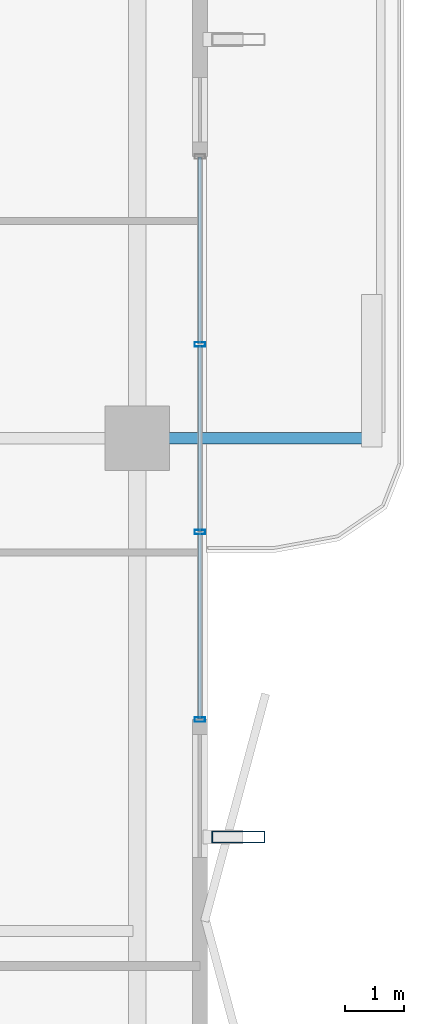
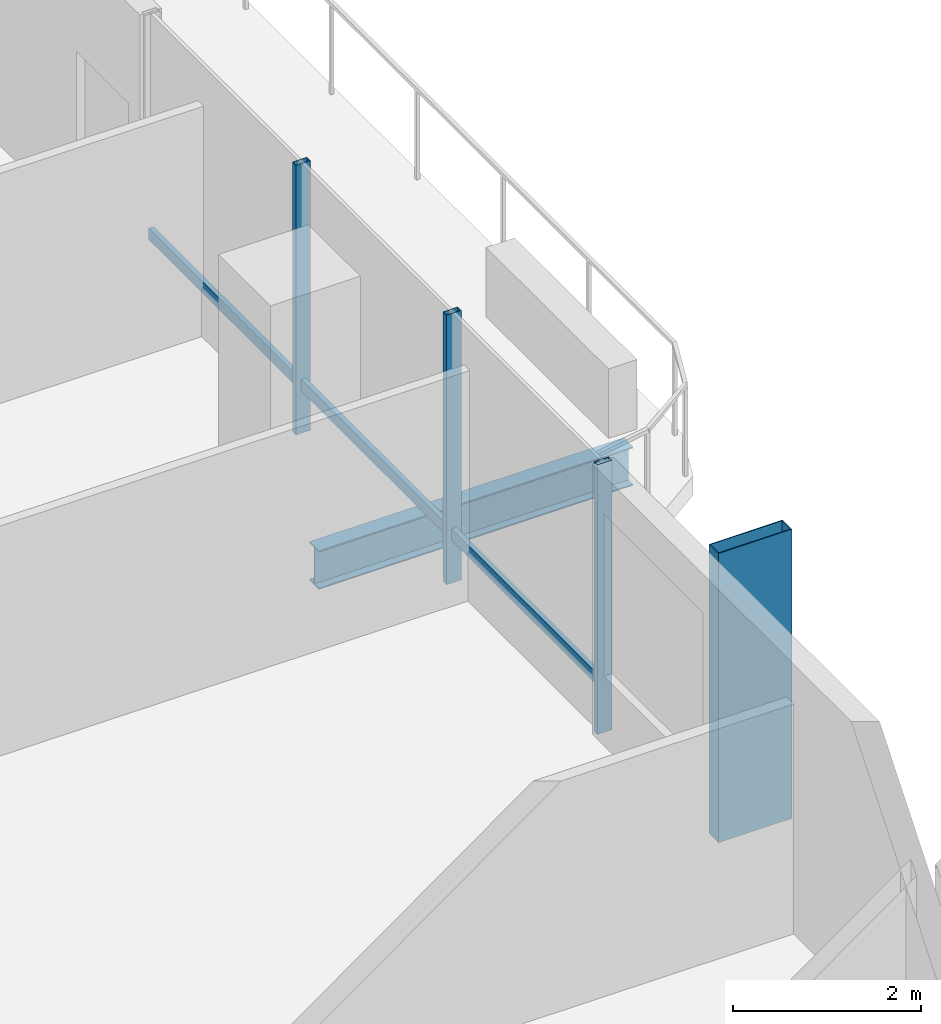
# One storey, part 10 of 25: 7 members, 1 beam, 1 element without a shape of its own.
"""IFC4 building model written with IfcOpenShell, lengths in metres."""

import ifcopenshell
import ifcopenshell.guid

model = None  # the IFC model being written
_history = None  # IfcOwnerHistory: only IFC2X3 demands one
_inside = {}  # id of a spatial element -> (the spatial element, [elements in it])
_under = {}  # id of a project, library or spatial element -> (it, [spatial elements below it])
_declared = {}  # id of a project -> (the project, [libraries it declares])
_typed = {}  # id of a type object -> (the type object, [elements of that type])
_made_of = {}  # id of a material, layer set ... -> (it, [elements and type objects made of it])


def new_model(schema):
    """Start an empty IFC model of exactly this schema.

    Asked for "IFC4X3", IfcOpenShell would pick the latest addendum, in which some entities
    have other attributes; the version numbers below select the first issue.
    IFC2X3 requires an IfcOwnerHistory on every rooted entity: one is made here for all.
    """
    global model, _history
    if schema == "IFC4X3":
        model = ifcopenshell.file(schema_version=(4, 3, 0, 0))
    else:
        model = ifcopenshell.file(schema=schema)
    _inside.clear()
    _under.clear()
    _declared.clear()
    _typed.clear()
    _made_of.clear()
    _history = None
    if model.schema == "IFC2X3":
        org = make("IfcOrganization", Name="unknown")
        user = make(
            "IfcPersonAndOrganization",
            ThePerson=make("IfcPerson", FamilyName="unknown"),
            TheOrganization=org,
        )
        app = make(
            "IfcApplication",
            ApplicationDeveloper=org,
            Version="unknown",
            ApplicationFullName="unknown",
            ApplicationIdentifier="unknown",
        )
        _history = make(
            "IfcOwnerHistory",
            OwningUser=user,
            OwningApplication=app,
            ChangeAction="ADDED",
            CreationDate=0,
        )
    return model


def make(cls, **values):
    """One entity of the class cls with the attributes given. An attribute that is None is left unset."""
    return model.create_entity(
        cls, **{name: value for name, value in values.items() if value is not None}
    )


def rooted(cls, **values):
    """An entity with a GlobalId (a new one), such as an element, a storey or a relation."""
    return make(cls, GlobalId=ifcopenshell.guid.new(), OwnerHistory=_history, **values)


def si_unit(unit_type, name, prefix=None):
    """IfcSIUnit, for example si_unit("LENGTHUNIT", "METRE", prefix="MILLI")."""
    return make("IfcSIUnit", UnitType=unit_type, Prefix=prefix, Name=name)


def assignment(units):
    """IfcUnitAssignment: the units of a project."""
    return None if units is None else make("IfcUnitAssignment", Units=units)


def point(xyz):
    """IfcCartesianPoint."""
    return None if xyz is None else make("IfcCartesianPoint", Coordinates=xyz)


def direction(xyz):
    """IfcDirection."""
    return None if xyz is None else make("IfcDirection", DirectionRatios=xyz)


def frame(location, z_axis=None, x_axis=None):
    """IfcAxis2Placement3D, a coordinate frame: its origin and axes. An axis left out is left unset."""
    return make(
        "IfcAxis2Placement3D",
        Location=point(location),
        Axis=direction(z_axis),
        RefDirection=direction(x_axis),
    )


def frame_2d(location, x_axis=None):
    """IfcAxis2Placement2D, a coordinate frame in the plane: its origin and x axis."""
    return make(
        "IfcAxis2Placement2D", Location=point(location), RefDirection=direction(x_axis)
    )


def origin():
    """The frame at (0, 0, 0) with its axes left unset."""
    return frame((0.0, 0.0, 0.0))


def origin_2d():
    """The frame at (0, 0) in the plane with its x axis left unset."""
    return frame_2d((0.0, 0.0))


def place(relative_to, where):
    """IfcLocalPlacement: puts the frame where relative to a parent placement (None: the world)."""
    return make(
        "IfcLocalPlacement", PlacementRelTo=relative_to, RelativePlacement=where
    )


def context(
    kind, dimensions, precision=None, world=None, true_north=None, identifier=None
):
    """IfcGeometricRepresentationContext, for example the 3D "Model" context."""
    return make(
        "IfcGeometricRepresentationContext",
        ContextIdentifier=identifier,
        ContextType=kind,
        CoordinateSpaceDimension=dimensions,
        Precision=precision,
        WorldCoordinateSystem=world,
        TrueNorth=true_north,
    )


def subcontext(parent, identifier, kind, view, scale=None):
    """IfcGeometricRepresentationSubContext, for example "Body" below "Model"."""
    return make(
        "IfcGeometricRepresentationSubContext",
        ContextIdentifier=identifier,
        ContextType=kind,
        ParentContext=parent,
        TargetScale=scale,
        TargetView=view,
    )


def project(units=None, contexts=None):
    """IfcProject with its units and contexts."""
    return rooted(
        "IfcProject",
        Name="project",
        RepresentationContexts=contexts,
        UnitsInContext=assignment(units),
    )


def spatial(cls, under=None, at=None, **own):
    """A site, building, storey or space (cls), placed at a placement, below another one or the project."""
    s = rooted(cls, ObjectPlacement=at, **own)
    if under is not None:
        _under.setdefault(under.id(), (under, []))[1].append(s)
    return s


def profile(cls, at=None, kind="AREA", **sizes):
    """A parametric profile (cls). Its sizes go by their IFC names, for example OverallWidth=200.0."""
    return make(cls, ProfileType=kind, Position=at, **sizes)


def hollow_rectangle(**sizes):
    """IfcRectangleHollowProfileDef."""
    return profile("IfcRectangleHollowProfileDef", **sizes)


def i_section(**sizes):
    """IfcIShapeProfileDef."""
    return profile("IfcIShapeProfileDef", **sizes)


def extrude(swept, where, along, depth):
    """IfcExtrudedAreaSolid: the profile swept, set in the frame where, extruded along a direction by depth."""
    return make(
        "IfcExtrudedAreaSolid",
        SweptArea=swept,
        Position=where,
        ExtrudedDirection=direction(along),
        Depth=depth,
    )


def shape(context_of_items, identifier, shape_type, items):
    """IfcShapeRepresentation: the items that make up one representation, for example the "Body"."""
    return make(
        "IfcShapeRepresentation",
        ContextOfItems=context_of_items,
        RepresentationIdentifier=identifier,
        RepresentationType=shape_type,
        Items=items,
    )


def material(Name=None, Category=None):
    """IfcMaterial."""
    return make("IfcMaterial", Name=Name, Category=Category)


def layer(
    of_material, thickness, ventilated=None, Name=None, Category=None, Priority=None
):
    """IfcMaterialLayer: one layer of a wall or slab, of a material (None: an air gap)."""
    return make(
        "IfcMaterialLayer",
        Material=of_material,
        LayerThickness=thickness,
        IsVentilated=ventilated,
        Name=Name,
        Category=Category,
        Priority=Priority,
    )


def layer_set(layers, Name=None):
    """IfcMaterialLayerSet."""
    return make("IfcMaterialLayerSet", MaterialLayers=layers, LayerSetName=Name)


def material_profile(
    of_material, cross_section, Name=None, Category=None, Priority=None
):
    """IfcMaterialProfile: a cross section and its material."""
    return make(
        "IfcMaterialProfile",
        Name=Name,
        Material=of_material,
        Profile=cross_section,
        Priority=Priority,
        Category=Category,
    )


def profile_set(profiles, Name=None, composite=None):
    """IfcMaterialProfileSet."""
    return make(
        "IfcMaterialProfileSet",
        Name=Name,
        MaterialProfiles=profiles,
        CompositeProfile=composite,
    )


def made_of(thing, what):
    """Note that an element or type object is made of a material, layer set ...; save() writes the relation."""
    if what is not None:
        _made_of.setdefault(what.id(), (what, []))[1].append(thing)
    return thing


def type_object(cls, material=None, **own):
    """A type object (cls), such as IfcWallType, which elements share."""
    return made_of(rooted(cls, **own), material)


def element(
    cls,
    number,
    at=None,
    inside=None,
    cuts=None,
    type_object=None,
    material=None,
    context=None,
    identifier="Body",
    shape_type=None,
    held_by="IfcProductDefinitionShape",
    body=None,
    shapes=None,
    **own,
):
    """One element of the class cls, such as IfcWall. Its Tag is "e" and its number.

    at: its placement. inside: the storey or other place that contains it. cuts: it is an
    opening in that element (IfcRelVoidsElement). A single representation is given by context,
    identifier, shape_type and body (its items); several are given by shapes. held_by: the class
    of the entity that holds the representations. save() writes the other relations.
    """
    e = rooted(cls, Tag="e%d" % number, ObjectPlacement=at, **own)
    if body is not None:
        shapes = [shape(context, identifier, shape_type, body)]
    if shapes is not None:
        e.Representation = make(held_by, Representations=shapes)
    if inside is not None:
        _inside.setdefault(inside.id(), (inside, []))[1].append(e)
    if cuts is not None:
        rooted(
            "IfcRelVoidsElement", RelatingBuildingElement=cuts, RelatedOpeningElement=e
        )
    if type_object is not None:
        _typed.setdefault(type_object.id(), (type_object, []))[1].append(e)
    return made_of(e, material)


def aggregate(whole, parts):
    """IfcRelAggregates: a whole, such as a stair, and the parts it consists of."""
    return rooted("IfcRelAggregates", RelatingObject=whole, RelatedObjects=parts)


def save(model, path):
    """Write the relations noted so far, then the file.

    IfcRelAggregates (storeys below a building ...), IfcRelContainedInSpatialStructure (elements
    in a storey), IfcRelDefinesByType, IfcRelAssociatesMaterial and IfcRelDeclares: one each for
    every whole, place, type object, material and project.
    """
    for whole, parts in _under.values():
        aggregate(whole, parts)
    for where, things in _inside.values():
        rooted(
            "IfcRelContainedInSpatialStructure",
            RelatedElements=things,
            RelatingStructure=where,
        )
    for kind, things in _typed.values():
        rooted("IfcRelDefinesByType", RelatedObjects=things, RelatingType=kind)
    for what, things in _made_of.values():
        rooted("IfcRelAssociatesMaterial", RelatedObjects=things, RelatingMaterial=what)
    for by, libraries in _declared.values():
        rooted("IfcRelDeclares", RelatingContext=by, RelatedDefinitions=libraries)
    model.write(path)


model = new_model("IFC4")

# Units and contexts
model_context = context("Model", 3, precision=1e-05, world=origin(), true_north=direction((0.0, 1.0)))
body_context = subcontext(model_context, "Body", "Model", "MODEL_VIEW")
ifc_project = project(units=[si_unit("LENGTHUNIT", "METRE"), si_unit("AREAUNIT", "SQUARE_METRE"), si_unit("VOLUMEUNIT", "CUBIC_METRE"), si_unit("PLANEANGLEUNIT", "RADIAN"), si_unit("MASSUNIT", "GRAM", prefix="KILO")], contexts=[model_context])

# Site, building, storey
site_placement = place(None, origin())
site = spatial("IfcSite", under=ifc_project, at=site_placement, CompositionType="ELEMENT")
building_placement = place(site_placement, origin())
building = spatial("IfcBuilding", under=site, at=building_placement, Name="Belovzor Exchange Tower", CompositionType="ELEMENT")
storey_placement = place(building_placement, frame((0.0, 0.0, 187.050048828125)))
storey = spatial("IfcBuildingStorey", under=building, at=storey_placement, Name="L46", CompositionType="ELEMENT", Elevation=187.050048828125)

# Beam
ifc_material_1 = material(Name="Steel S355", Category="steel")
ifc_material_profile_1 = material_profile(ifc_material_1, i_section(OverallWidth=0.199951171875, OverallDepth=0.5, WebThickness=0.01025390625, FlangeThickness=0.01611328125, at=origin_2d()))
ifc_profile_set_1 = profile_set([ifc_material_profile_1], Name="Steel S355")
beam_type = type_object("IfcBeamType", Name="Planted Balcony Cantilever Beam IPE 500", PredefinedType="BEAM", material=ifc_profile_set_1)
beam_placement = place(storey_placement, frame((52.202880859375, 28.800048828125, -0.505126953125), z_axis=(1.0, 0.0, 0.0), x_axis=(0.0, 1.0, 0.0)))
element("IfcBeam", 1, at=beam_placement, inside=storey, type_object=beam_type, Name="BC-500 Planted Balcony Cantilever Beam IPE 500", PredefinedType="BEAM", context=body_context, shape_type="SweptSolid", body=[
    extrude(i_section(OverallWidth=0.199951171875, OverallDepth=0.5, WebThickness=0.01025390625, FlangeThickness=0.01611328125, at=origin_2d()), origin(), (0.0, 0.0, 1.0), 3.85009765625),
])

# Member
ifc_material_2 = material(Name="Extruded Architectural Terracotta on Steel S355 Carrier", Category="masonry")
ifc_material_profile_2 = material_profile(ifc_material_2, hollow_rectangle(XDim=0.199951171875, YDim=0.89990234375, WallThickness=0.011962890625, at=origin_2d()))
ifc_profile_set_2 = profile_set([ifc_material_profile_2], Name="Extruded Architectural Terracotta on Steel S355 Carrier")
member_type_1 = type_object("IfcMemberType", Name="Sweeping Terracotta Baguette Fin Assembly 1250", PredefinedType="USERDEFINED", material=ifc_profile_set_2)
member_1_placement = place(storey_placement, frame((53.625, 22.0, -0.255126953125), z_axis=(0.0, 0.0, 1.0), x_axis=(0.0, 1.0, 0.0)))
element("IfcMember", 2, at=member_1_placement, inside=storey, type_object=member_type_1, Name="FIN-TC125 Terracotta Facade Fin L46 E2", ObjectType="FIN", PredefinedType="USERDEFINED", context=body_context, shape_type="SweptSolid", body=[
    extrude(hollow_rectangle(XDim=0.199951171875, YDim=0.89990234375, WallThickness=0.011962890625, at=origin_2d()), origin(), (0.0, 0.0, 1.0), 3.75),
])

# Curtain wall, members
ifc_material_3 = material(Name="Anodised Aluminium Framing", Category="aluminium")
ifc_layer = layer(ifc_material_3, 0.179931640625)
ifc_layer_set = layer_set([ifc_layer], Name="Anodised Aluminium Framing")
curtain_wall_type = type_object("IfcCurtainWallType", Name="Recessed Loggia Low-Iron Triple-Glazed Curtain Wall", PredefinedType="NOTDEFINED", material=ifc_layer_set)
curtain_wall_placement = place(storey_placement, origin())
curtain_wall = element("IfcCurtainWall", 3, at=curtain_wall_placement, inside=storey, type_object=curtain_wall_type, Name="CW3 Recessed Loggia Low-Iron Triple-Glazed Curtain Wall L46", PredefinedType="NOTDEFINED")
ifc_material_4 = material(Name="Steel S355", Category="steel")
ifc_material_profile_3 = material_profile(ifc_material_4, hollow_rectangle(XDim=0.074951171875, YDim=0.179931640625, WallThickness=0.0048828125, at=origin_2d()))
ifc_profile_set_3 = profile_set([ifc_material_profile_3], Name="Steel S355")
member_type_2 = type_object("IfcMemberType", Name="Thermally Broken Curtain Wall Mullion 180x75", PredefinedType="MULLION", material=ifc_profile_set_3)
member_2_placement = place(storey_placement, frame((52.969970703125, 30.39990234375, 0.0), z_axis=(0.0, 0.0, 1.0), x_axis=(0.0, -1.0, 0.0)))
member_2 = element("IfcMember", 4, at=member_2_placement, type_object=member_type_2, Name="CW-M180 Curtain Wall Mullion 2", PredefinedType="MULLION", context=body_context, shape_type="SweptSolid", body=[
    extrude(hollow_rectangle(XDim=0.074951171875, YDim=0.179931640625, WallThickness=0.0048828125, at=origin_2d()), origin(), (0.0, 0.0, 1.0), 3.494873046875),
])
member_3_placement = place(storey_placement, frame((52.969970703125, 27.199951171875, 0.0), z_axis=(0.0, 0.0, 1.0), x_axis=(0.0, -1.0, 0.0)))
member_3 = element("IfcMember", 5, at=member_3_placement, type_object=member_type_2, Name="CW-M180 Curtain Wall Mullion 3", PredefinedType="MULLION", context=body_context, shape_type="SweptSolid", body=[
    extrude(hollow_rectangle(XDim=0.074951171875, YDim=0.179931640625, WallThickness=0.0048828125, at=origin_2d()), origin(), (0.0, 0.0, 1.0), 3.494873046875),
])
member_4_placement = place(storey_placement, frame((52.969970703125, 24.0, 0.0), z_axis=(0.0, 0.0, 1.0), x_axis=(0.0, -1.0, 0.0)))
member_4 = element("IfcMember", 6, at=member_4_placement, type_object=member_type_2, Name="CW-M180 Curtain Wall Mullion 4", PredefinedType="MULLION", context=body_context, shape_type="SweptSolid", body=[
    extrude(hollow_rectangle(XDim=0.074951171875, YDim=0.179931640625, WallThickness=0.0048828125, at=origin_2d()), origin(), (0.0, 0.0, 1.0), 3.494873046875),
])
ifc_material_5 = material(Name="Steel S355", Category="steel")
ifc_material_profile_4 = material_profile(ifc_material_5, hollow_rectangle(XDim=0.06005859375, YDim=0.14990234375, WallThickness=0.00390625, at=origin_2d()))
ifc_profile_set_4 = profile_set([ifc_material_profile_4], Name="Steel S355")
member_type_3 = type_object("IfcMemberType", Name="Thermally Broken Curtain Wall Transom 150x60", PredefinedType="USERDEFINED", material=ifc_profile_set_4)
member_5_placement = place(storey_placement, frame((52.969970703125, 33.592041015625, 0.62890625), z_axis=(0.0, -1.0, 0.0), x_axis=(1.0, 0.0, 0.0)))
member_5 = element("IfcMember", 7, at=member_5_placement, type_object=member_type_3, Name="CW-T150 Curtain Wall Transom 1", ObjectType="TRANSOM", PredefinedType="USERDEFINED", context=body_context, shape_type="SweptSolid", body=[
    extrude(hollow_rectangle(XDim=0.06005859375, YDim=0.14990234375, WallThickness=0.00390625, at=origin_2d()), origin(), (0.0, 0.0, 1.0), 3.18408203125),
])
member_6_placement = place(storey_placement, frame((52.969970703125, 30.39208984375, 0.62890625), z_axis=(0.0, -1.0, 0.0), x_axis=(1.0, 0.0, 0.0)))
member_6 = element("IfcMember", 8, at=member_6_placement, type_object=member_type_3, Name="CW-T150 Curtain Wall Transom 2", ObjectType="TRANSOM", PredefinedType="USERDEFINED", context=body_context, shape_type="SweptSolid", body=[
    extrude(hollow_rectangle(XDim=0.06005859375, YDim=0.14990234375, WallThickness=0.00390625, at=origin_2d()), origin(), (0.0, 0.0, 1.0), 3.18408203125),
])
member_7_placement = place(storey_placement, frame((52.969970703125, 27.19189453125, 0.62890625), z_axis=(0.0, -1.0, 0.0), x_axis=(1.0, 0.0, 0.0)))
member_7 = element("IfcMember", 9, at=member_7_placement, type_object=member_type_3, Name="CW-T150 Curtain Wall Transom 3", ObjectType="TRANSOM", PredefinedType="USERDEFINED", context=body_context, shape_type="SweptSolid", body=[
    extrude(hollow_rectangle(XDim=0.06005859375, YDim=0.14990234375, WallThickness=0.00390625, at=origin_2d()), origin(), (0.0, 0.0, 1.0), 3.183837890625),
])
aggregate(curtain_wall, [member_2, member_3, member_4, member_5, member_6, member_7])

save(model, "model.ifc")
